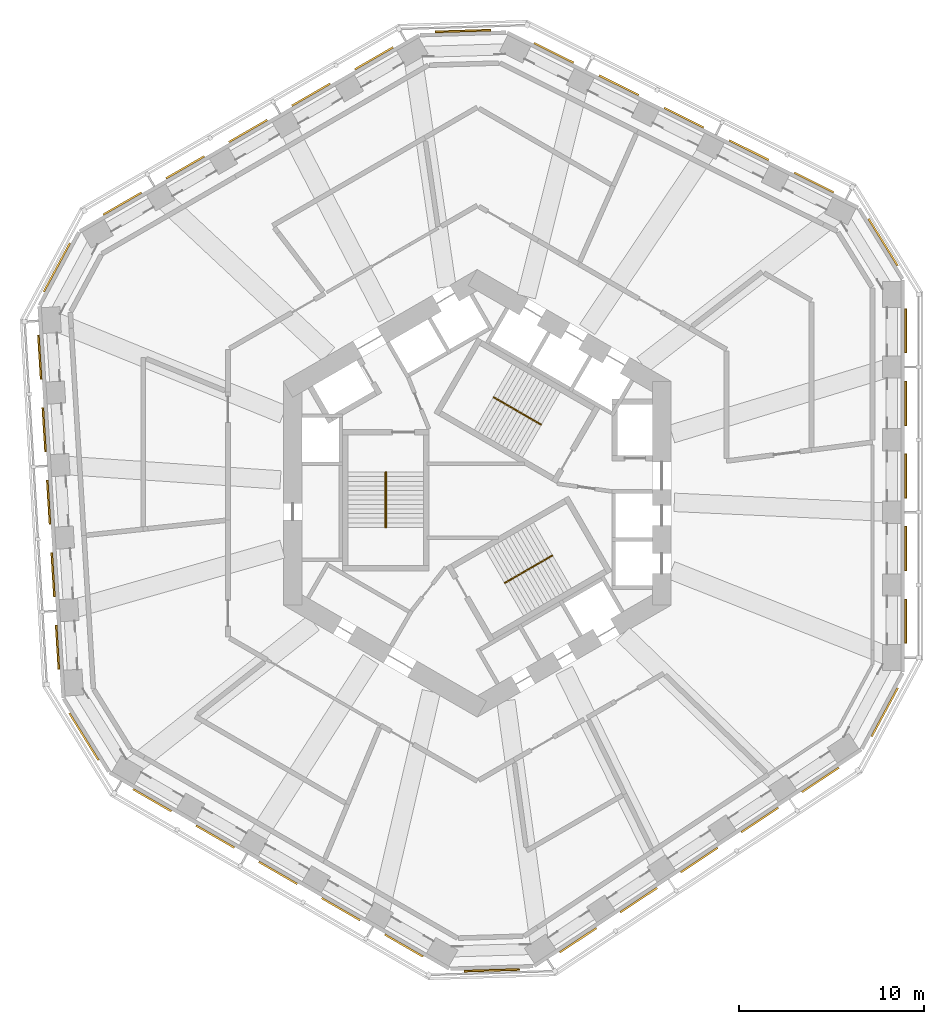
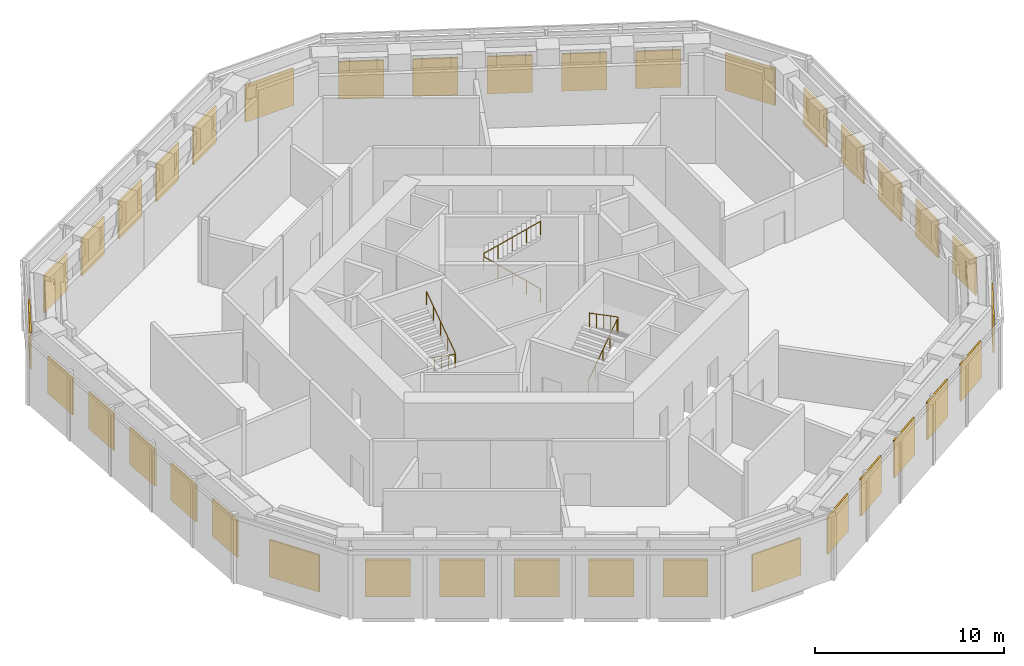
# One storey, part 15 of 15: 36 shading devices, 3 railings.
"""IFC4 building model written with IfcOpenShell, lengths in metres."""

from ifc_helpers import new_model, si_unit, direction, frame, origin, origin_2d, place, context, subcontext, project, spatial, rectangle, circle, extrude, material, layer, layer_set, type_object, element, save


model = new_model("IFC4")

# Units and contexts
model_context = context("Model", 3, precision=1e-05, world=origin(), true_north=direction((0.0, 1.0)))
body_context = subcontext(model_context, "Body", "Model", "MODEL_VIEW")
ifc_project = project(units=[si_unit("LENGTHUNIT", "METRE"), si_unit("AREAUNIT", "SQUARE_METRE"), si_unit("VOLUMEUNIT", "CUBIC_METRE"), si_unit("PLANEANGLEUNIT", "RADIAN"), si_unit("MASSUNIT", "GRAM", prefix="KILO")], contexts=[model_context])

# Site, building, storey
site_placement = place(None, origin())
site = spatial("IfcSite", under=ifc_project, at=site_placement, CompositionType="ELEMENT")
building_placement = place(site_placement, origin())
building = spatial("IfcBuilding", under=site, at=building_placement, Name="Vanh Sen Convention Tower", CompositionType="ELEMENT")
storey_placement = place(building_placement, frame((0.0, 0.0, 119.89990234375)))
storey = spatial("IfcBuildingStorey", under=building, at=storey_placement, Name="L29", CompositionType="ELEMENT", Elevation=119.89990234375)

# Shading devices
ifc_material_1 = material(Name="Aluminium fixed louvre", Category="aluminium")
ifc_layer_1 = layer(ifc_material_1, 0.10009765625)
ifc_layer_set_1 = layer_set([ifc_layer_1], Name="Aluminium fixed louvre")
shading_device_type_1 = type_object("IfcShadingDeviceType", Name="Fixed louvre band 2400 x 2400", PredefinedType="USERDEFINED", material=ifc_layer_set_1)
for number, where, z_axis, x_axis, name in (
    (1, (23.199951171875, -6.931884765625, 0.900146484375), (0.0, 0.0, 1.0), (0.0, 1.0, 0.0), "Fixed louvre band LV1-E1"),
    (2, (23.199951171875, -2.997314453125, 0.900146484375), (0.0, 0.0, 1.0), (0.0, 1.0, 0.0), "Fixed louvre band LV1-E2"),
    (3, (23.199951171875, 0.937255859375, 0.900146484375), (0.0, 0.0, 1.0), (0.0, 1.0, 0.0), "Fixed louvre band LV1-E3"),
    (4, (23.199951171875, 4.871826171875, 0.900146484375), (0.0, 0.0, 1.0), (0.0, 1.0, 0.0), "Fixed louvre band LV1-E4"),
    (5, (23.199951171875, 8.806396484375, 0.900146484375), (0.0, 0.0, 1.0), (0.0, 1.0, 0.0), "Fixed louvre band LV1-E5"),
    (6, (18.23291015625, 16.8330078125, 0.900146484375), (0.0, 0.0, 1.0), (-0.894933582839, 0.446199375064, 0.0), "Fixed louvre band LV1-NE1"),
    (7, (14.7119140625, 18.588623046875, 0.900146484375), (0.0, 0.0, 1.0), (-0.894933582839, 0.446199375064, 0.0), "Fixed louvre band LV1-NE2"),
    (8, (11.190673828125, 20.34423828125, 0.900146484375), (0.0, 0.0, 1.0), (-0.894933582839, 0.446199375064, 0.0), "Fixed louvre band LV1-NE3"),
    (9, (7.66943359375, 22.099853515625, 0.900146484375), (0.0, 0.0, 1.0), (-0.894933582839, 0.446199375064, 0.0), "Fixed louvre band LV1-NE4"),
    (10, (4.148193359375, 23.85546875, 0.900146484375), (0.0, 0.0, 1.0), (-0.894933582839, 0.446199375064, 0.0), "Fixed louvre band LV1-NE5"),
    (11, (-5.5966796875, 23.557861328125, 0.900146484375), (0.0, 0.0, 1.0), (-0.866024531118, -0.500001511499, 0.0), "Fixed louvre band LV1-NW1"),
    (12, (-9.004150390625, 21.59033203125, 0.900146484375), (0.0, 0.0, 1.0), (-0.866024531118, -0.500001511499, 0.0), "Fixed louvre band LV1-NW2"),
    (13, (-12.41162109375, 19.623046875, 0.900146484375), (0.0, 0.0, 1.0), (-0.866024531118, -0.500001511499, 0.0), "Fixed louvre band LV1-NW3"),
    (14, (-15.819091796875, 17.65576171875, 0.900146484375), (0.0, 0.0, 1.0), (-0.866024531118, -0.500001511499, 0.0), "Fixed louvre band LV1-NW4"),
    (15, (-19.2265625, 15.6884765625, 0.900146484375), (0.0, 0.0, 1.0), (-0.866024531118, -0.500001511499, 0.0), "Fixed louvre band LV1-NW5"),
    (16, (-23.6943359375, 7.373779296875, 0.900146484375), (0.0, 0.0, 1.0), (0.061048539535, -0.998134798422, 0.0), "Fixed louvre band LV1-W1"),
    (17, (-23.4541015625, 3.4462890625, 0.900146484375), (0.0, 0.0, 1.0), (0.061048539535, -0.998134798422, 0.0), "Fixed louvre band LV1-W2"),
    (18, (-23.2138671875, -0.480712890625, 0.900146484375), (0.0, 0.0, 1.0), (0.061048539535, -0.998134798422, 0.0), "Fixed louvre band LV1-W3"),
    (19, (-22.9736328125, -4.408203125, 0.900146484375), (0.0, 0.0, 1.0), (0.061048539535, -0.998134798422, 0.0), "Fixed louvre band LV1-W4"),
    (20, (-22.7333984375, -8.33544921875, 0.900146484375), (0.0, 0.0, 1.0), (0.061048539535, -0.998134798422, 0.0), "Fixed louvre band LV1-W5"),
    (21, (-17.603271484375, -16.625732421875, 0.900146484375), (0.0, 0.0, 1.0), (0.866027149108, -0.499996976998, 0.0), "Fixed louvre band LV1-SW1"),
    (22, (-14.19580078125, -18.593017578125, 0.900146484375), (0.0, 0.0, 1.0), (0.866027149108, -0.499996976998, 0.0), "Fixed louvre band LV1-SW2"),
    (23, (-10.788330078125, -20.560302734375, 0.900146484375), (0.0, 0.0, 1.0), (0.866027149108, -0.499996976998, 0.0), "Fixed louvre band LV1-SW3"),
    (24, (-7.380859375, -22.527587890625, 0.900146484375), (0.0, 0.0, 1.0), (0.866027149108, -0.499996976998, 0.0), "Fixed louvre band LV1-SW4"),
    (25, (-3.973388671875, -24.4951171875, 0.900146484375), (0.0, 0.0, 1.0), (0.866027149108, -0.499996976998, 0.0), "Fixed louvre band LV1-SW5"),
    (26, (5.46142578125, -24.206787109375, 0.900146484375), (0.0, 0.0, 1.0), (0.833885822067, 0.551936985312, 0.0), "Fixed louvre band LV1-SE1"),
    (27, (8.7421875, -22.03515625, 0.900146484375), (0.0, 0.0, 1.0), (0.833885822067, 0.551936985312, 0.0), "Fixed louvre band LV1-SE2"),
    (28, (12.023193359375, -19.863525390625, 0.900146484375), (0.0, 0.0, 1.0), (0.833885822067, 0.551936985312, 0.0), "Fixed louvre band LV1-SE3"),
    (29, (15.30419921875, -17.69189453125, 0.900146484375), (0.0, 0.0, 1.0), (0.833885822067, 0.551936985312, 0.0), "Fixed louvre band LV1-SE4"),
    (30, (18.585205078125, -15.520263671875, 0.900146484375), (0.0, 0.0, 1.0), (0.833885822067, 0.551936985312, 0.0), "Fixed louvre band LV1-SE5"),
):
    element("IfcShadingDevice", number, at=place(storey_placement, frame(where, z_axis=z_axis, x_axis=x_axis)), inside=storey, type_object=shading_device_type_1, Name=name, ObjectType="LOUVRE", PredefinedType="USERDEFINED", context=body_context, shape_type="SweptSolid", body=[
        extrude(rectangle(XDim=2.39990234375, YDim=0.10009765625, at=origin_2d()), origin(), (0.0, 0.0, 1.0), 2.39990234375),
    ])
ifc_layer_2 = layer(ifc_material_1, 0.10009765625)
ifc_layer_set_2 = layer_set([ifc_layer_2], Name="Aluminium fixed louvre")
shading_device_type_2 = type_object("IfcShadingDeviceType", Name="Fixed louvre band 3000 x 2400", PredefinedType="USERDEFINED", material=ifc_layer_set_2)
for number, where, z_axis, x_axis, name in (
    (31, (21.980224609375, 13.601806640625, 0.900146484375), (0.0, 0.0, 1.0), (-0.526209471211, 0.850354980234, 0.0), "Fixed louvre band LV2-CH11"),
    (32, (-0.764892578125, 25.039794921875, 0.900146484375), (0.0, 0.0, 1.0), (-0.999533377613, -0.03054549127, 0.0), "Fixed louvre band LV2-CH21"),
    (33, (-22.76953125, 12.234619140625, 0.900146484375), (0.0, 0.0, 1.0), (-0.473333504126, -0.880883303209, 0.0), "Fixed louvre band LV2-CH31"),
    (34, (-21.302490234375, -13.182373046875, 0.900146484375), (0.0, 0.0, 1.0), (0.526215407796, -0.850351306578, 0.0), "Fixed louvre band LV2-CH41"),
    (35, (0.789306640625, -25.836181640625, 0.900146484375), (0.0, 0.0, 1.0), (0.999533644135, 0.030536768695, 0.0), "Fixed louvre band LV2-CH51"),
    (36, (22.0673828125, -11.857421875, 0.900146484375), (0.0, 0.0, 1.0), (0.47331812974, 0.880891564303, 0.0), "Fixed louvre band LV2-CH61"),
):
    element("IfcShadingDevice", number, at=place(storey_placement, frame(where, z_axis=z_axis, x_axis=x_axis)), inside=storey, type_object=shading_device_type_2, Name=name, ObjectType="LOUVRE", PredefinedType="USERDEFINED", context=body_context, shape_type="SweptSolid", body=[
        extrude(rectangle(XDim=3.0, YDim=0.10009765625, at=origin_2d()), origin(), (0.0, 0.0, 1.0), 2.39990234375),
    ])

# Railings
ifc_material_2 = material(Name="Stainless steel handrail", Category="steel")
railing_type = type_object("IfcRailingType", Name="Stair handrail 900", PredefinedType="HANDRAIL", material=ifc_material_2)
railing_1_placement = place(storey_placement, frame((3.45849609375, 3.690185546875, 0.173095703125)))
element("IfcRailing", 37, at=railing_1_placement, inside=storey, type_object=railing_type, Name="Stair handrail ST1 L29", PredefinedType="HANDRAIL", context=body_context, shape_type="SweptSolid", body=[
    extrude(circle(Radius=0.02392578125, at=origin_2d()), frame((0.0, 0.0, 0.8759765625), z_axis=(-0.712050641542, 0.41109181936, 0.569198910693), x_axis=(-0.499990139034, -0.866031096941, 0.0)), (0.0, 0.0, 1.0), 3.64892578125),
    extrude(circle(Radius=0.02392578125, at=origin_2d()), frame((-2.59814453125, 1.5, 2.95263671875), z_axis=(0.502959906984, 0.86430974307, 0.0), x_axis=(-0.86430974307, 0.502959906984, 0.0)), (0.0, 0.0, 1.0), 0.050048828125),
    extrude(circle(Radius=0.02392578125, at=origin_2d()), frame((-2.572998046875, 1.543212890625, 2.95263671875), z_axis=(0.0, 0.0, 1.0), x_axis=(1.0, 0.0, 0.0)), (0.0, 0.0, 1.0), 0.173095703125),
    extrude(circle(Radius=0.02392578125, at=origin_2d()), frame((-2.572998046875, 1.543212890625, 3.1259765625), z_axis=(0.712017653891, -0.411111405461, 0.569226029664), x_axis=(0.50002537861, 0.866010750942, 0.0)), (0.0, 0.0, 1.0), 3.648681640625),
    extrude(circle(Radius=0.02099609375, at=origin_2d()), origin(), (0.0, 0.0, 1.0), 0.851806640625),
    extrude(circle(Radius=0.02099609375, at=origin_2d()), frame((-0.6494140625, 0.375, 0.519287109375)), (0.0, 0.0, 1.0), 0.851806640625),
    extrude(circle(Radius=0.02099609375, at=origin_2d()), frame((-1.299072265625, 0.75, 1.03857421875)), (0.0, 0.0, 1.0), 0.851806640625),
    extrude(circle(Radius=0.02099609375, at=origin_2d()), frame((-1.94873046875, 1.125, 1.5576171875)), (0.0, 0.0, 1.0), 0.851806640625),
    extrude(circle(Radius=0.02099609375, at=origin_2d()), frame((-2.59814453125, 1.5, 2.076904296875)), (0.0, 0.0, 1.0), 0.851806640625),
    extrude(circle(Radius=0.02099609375, at=origin_2d()), frame((-2.572998046875, 1.543212890625, 2.076904296875)), (0.0, 0.0, 1.0), 0.851806640625),
    extrude(circle(Radius=0.02099609375, at=origin_2d()), frame((-2.572998046875, 1.543212890625, 2.25)), (0.0, 0.0, 1.0), 0.851806640625),
    extrude(circle(Radius=0.02099609375, at=origin_2d()), frame((-1.923583984375, 1.168212890625, 2.769287109375)), (0.0, 0.0, 1.0), 0.851806640625),
    extrude(circle(Radius=0.02099609375, at=origin_2d()), frame((-1.27392578125, 0.793212890625, 3.28857421875)), (0.0, 0.0, 1.0), 0.851806640625),
    extrude(circle(Radius=0.02099609375, at=origin_2d()), frame((-0.62451171875, 0.418212890625, 3.8076171875)), (0.0, 0.0, 1.0), 0.851806640625),
    extrude(circle(Radius=0.02099609375, at=origin_2d()), frame((0.02490234375, 0.043212890625, 4.326904296875)), (0.0, 0.0, 1.0), 0.851806640625),
])
railing_2_placement = place(storey_placement, frame((-4.925048828125, 1.14990234375, 0.173095703125)))
element("IfcRailing", 38, at=railing_2_placement, inside=storey, type_object=railing_type, Name="Stair handrail ST2 L29", PredefinedType="HANDRAIL", context=body_context, shape_type="SweptSolid", body=[
    extrude(circle(Radius=0.02392578125, at=origin_2d()), frame((0.0, 0.0, 0.8759765625), z_axis=(0.0, -0.82219460041, 0.569206499486), x_axis=(1.0, 0.0, 0.0)), (0.0, 0.0, 1.0), 3.648681640625),
    extrude(circle(Radius=0.02392578125, at=origin_2d()), frame((0.0, -3.0, 2.95263671875), z_axis=(-1.0, 0.0, 0.0), x_axis=(0.0, -1.0, 0.0)), (0.0, 0.0, 1.0), 0.050048828125),
    extrude(circle(Radius=0.02392578125, at=origin_2d()), frame((-0.050048828125, -3.0, 2.95263671875), z_axis=(0.0, 0.0, 1.0), x_axis=(1.0, 0.0, 0.0)), (0.0, 0.0, 1.0), 0.173095703125),
    extrude(circle(Radius=0.02392578125, at=origin_2d()), frame((-0.050048828125, -3.0, 3.1259765625), z_axis=(0.0, 0.82219460041, 0.569206499486), x_axis=(-1.0, 0.0, 0.0)), (0.0, 0.0, 1.0), 3.648681640625),
    extrude(circle(Radius=0.02099609375, at=origin_2d()), origin(), (0.0, 0.0, 1.0), 0.851806640625),
    extrude(circle(Radius=0.02099609375, at=origin_2d()), frame((0.0, -0.75, 0.519287109375)), (0.0, 0.0, 1.0), 0.851806640625),
    extrude(circle(Radius=0.02099609375, at=origin_2d()), frame((0.0, -1.5, 1.03857421875)), (0.0, 0.0, 1.0), 0.851806640625),
    extrude(circle(Radius=0.02099609375, at=origin_2d()), frame((0.0, -2.25, 1.5576171875)), (0.0, 0.0, 1.0), 0.851806640625),
    extrude(circle(Radius=0.02099609375, at=origin_2d()), frame((0.0, -3.0, 2.076904296875)), (0.0, 0.0, 1.0), 0.851806640625),
    extrude(circle(Radius=0.02099609375, at=origin_2d()), frame((-0.050048828125, -3.0, 2.076904296875)), (0.0, 0.0, 1.0), 0.851806640625),
    extrude(circle(Radius=0.02099609375, at=origin_2d()), frame((-0.050048828125, -3.0, 2.25)), (0.0, 0.0, 1.0), 0.851806640625),
    extrude(circle(Radius=0.02099609375, at=origin_2d()), frame((-0.050048828125, -2.25, 2.769287109375)), (0.0, 0.0, 1.0), 0.851806640625),
    extrude(circle(Radius=0.02099609375, at=origin_2d()), frame((-0.050048828125, -1.5, 3.28857421875)), (0.0, 0.0, 1.0), 0.851806640625),
    extrude(circle(Radius=0.02099609375, at=origin_2d()), frame((-0.050048828125, -0.75, 3.8076171875)), (0.0, 0.0, 1.0), 0.851806640625),
    extrude(circle(Radius=0.02099609375, at=origin_2d()), frame((-0.050048828125, 0.0, 4.326904296875)), (0.0, 0.0, 1.0), 0.851806640625),
])
railing_3_placement = place(storey_placement, frame((1.466552734375, -4.840087890625, 0.173095703125)))
element("IfcRailing", 39, at=railing_3_placement, inside=storey, type_object=railing_type, Name="Stair handrail ST3 L29", PredefinedType="HANDRAIL", context=body_context, shape_type="SweptSolid", body=[
    extrude(circle(Radius=0.02392578125, at=origin_2d()), frame((0.0, 0.0, 0.8759765625), z_axis=(0.712050641542, 0.41109181936, 0.569198910693), x_axis=(-0.499990139034, 0.866031096941, 0.0)), (0.0, 0.0, 1.0), 3.64892578125),
    extrude(circle(Radius=0.02392578125, at=origin_2d()), frame((2.59814453125, 1.5, 2.95263671875), z_axis=(0.497188445666, -0.867642581652, 0.0), x_axis=(0.867642581652, 0.497188445666, 0.0)), (0.0, 0.0, 1.0), 0.050048828125),
    extrude(circle(Radius=0.02392578125, at=origin_2d()), frame((2.623046875, 1.45654296875, 2.95263671875), z_axis=(0.0, 0.0, 1.0), x_axis=(1.0, 0.0, 0.0)), (0.0, 0.0, 1.0), 0.173095703125),
    extrude(circle(Radius=0.02392578125, at=origin_2d()), frame((2.623046875, 1.45654296875, 3.1259765625), z_axis=(-0.712017653891, -0.411111405461, 0.569226029664), x_axis=(0.50002537861, -0.866010750942, 0.0)), (0.0, 0.0, 1.0), 3.648681640625),
    extrude(circle(Radius=0.02099609375, at=origin_2d()), origin(), (0.0, 0.0, 1.0), 0.851806640625),
    extrude(circle(Radius=0.02099609375, at=origin_2d()), frame((0.6494140625, 0.375, 0.519287109375)), (0.0, 0.0, 1.0), 0.851806640625),
    extrude(circle(Radius=0.02099609375, at=origin_2d()), frame((1.299072265625, 0.75, 1.03857421875)), (0.0, 0.0, 1.0), 0.851806640625),
    extrude(circle(Radius=0.02099609375, at=origin_2d()), frame((1.94873046875, 1.125, 1.5576171875)), (0.0, 0.0, 1.0), 0.851806640625),
    extrude(circle(Radius=0.02099609375, at=origin_2d()), frame((2.59814453125, 1.5, 2.076904296875)), (0.0, 0.0, 1.0), 0.851806640625),
    extrude(circle(Radius=0.02099609375, at=origin_2d()), frame((2.623046875, 1.45654296875, 2.076904296875)), (0.0, 0.0, 1.0), 0.851806640625),
    extrude(circle(Radius=0.02099609375, at=origin_2d()), frame((2.623046875, 1.45654296875, 2.25)), (0.0, 0.0, 1.0), 0.851806640625),
    extrude(circle(Radius=0.02099609375, at=origin_2d()), frame((1.9736328125, 1.08154296875, 2.769287109375)), (0.0, 0.0, 1.0), 0.851806640625),
    extrude(circle(Radius=0.02099609375, at=origin_2d()), frame((1.32421875, 0.70654296875, 3.28857421875)), (0.0, 0.0, 1.0), 0.851806640625),
    extrude(circle(Radius=0.02099609375, at=origin_2d()), frame((0.674560546875, 0.33154296875, 3.8076171875)), (0.0, 0.0, 1.0), 0.851806640625),
    extrude(circle(Radius=0.02099609375, at=origin_2d()), frame((0.025146484375, -0.04345703125, 4.326904296875)), (0.0, 0.0, 1.0), 0.851806640625),
])

save(model, "model.ifc")
